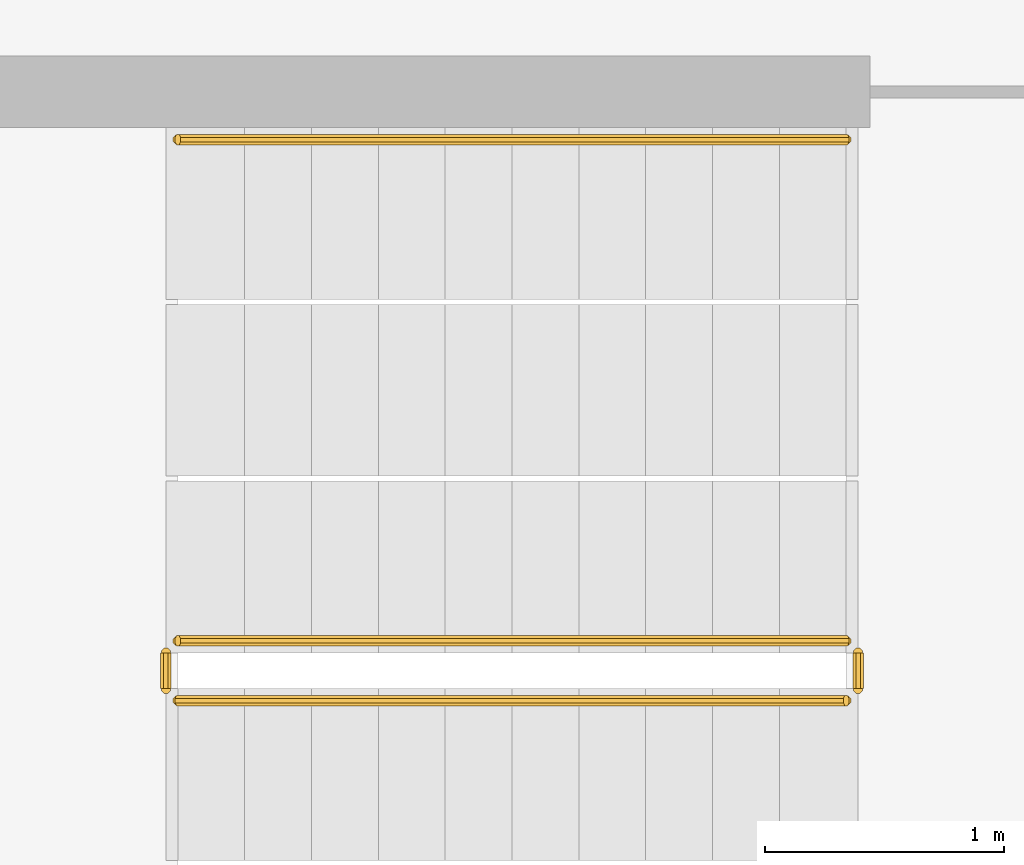
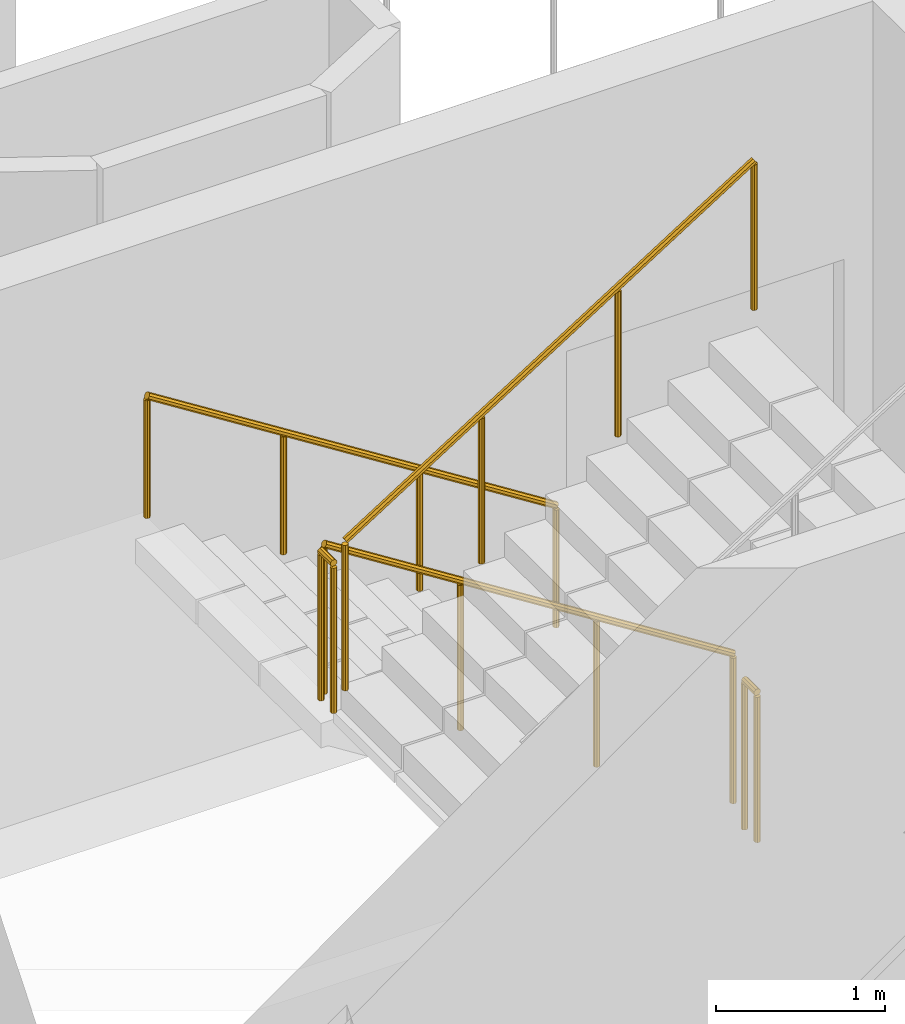
# One storey, part 20 of 26: 5 railings.
"""IFC4 building model written with IfcOpenShell, lengths in metres."""

import ifcopenshell
import ifcopenshell.guid

model = None  # the IFC model being written
_history = None  # IfcOwnerHistory: only IFC2X3 demands one
_inside = {}  # id of a spatial element -> (the spatial element, [elements in it])
_under = {}  # id of a project, library or spatial element -> (it, [spatial elements below it])
_declared = {}  # id of a project -> (the project, [libraries it declares])
_typed = {}  # id of a type object -> (the type object, [elements of that type])
_made_of = {}  # id of a material, layer set ... -> (it, [elements and type objects made of it])


def new_model(schema):
    """Start an empty IFC model of exactly this schema.

    Asked for "IFC4X3", IfcOpenShell would pick the latest addendum, in which some entities
    have other attributes; the version numbers below select the first issue.
    IFC2X3 requires an IfcOwnerHistory on every rooted entity: one is made here for all.
    """
    global model, _history
    if schema == "IFC4X3":
        model = ifcopenshell.file(schema_version=(4, 3, 0, 0))
    else:
        model = ifcopenshell.file(schema=schema)
    _inside.clear()
    _under.clear()
    _declared.clear()
    _typed.clear()
    _made_of.clear()
    _history = None
    if model.schema == "IFC2X3":
        org = make("IfcOrganization", Name="unknown")
        user = make(
            "IfcPersonAndOrganization",
            ThePerson=make("IfcPerson", FamilyName="unknown"),
            TheOrganization=org,
        )
        app = make(
            "IfcApplication",
            ApplicationDeveloper=org,
            Version="unknown",
            ApplicationFullName="unknown",
            ApplicationIdentifier="unknown",
        )
        _history = make(
            "IfcOwnerHistory",
            OwningUser=user,
            OwningApplication=app,
            ChangeAction="ADDED",
            CreationDate=0,
        )
    return model


def make(cls, **values):
    """One entity of the class cls with the attributes given. An attribute that is None is left unset."""
    return model.create_entity(
        cls, **{name: value for name, value in values.items() if value is not None}
    )


def rooted(cls, **values):
    """An entity with a GlobalId (a new one), such as an element, a storey or a relation."""
    return make(cls, GlobalId=ifcopenshell.guid.new(), OwnerHistory=_history, **values)


def si_unit(unit_type, name, prefix=None):
    """IfcSIUnit, for example si_unit("LENGTHUNIT", "METRE", prefix="MILLI")."""
    return make("IfcSIUnit", UnitType=unit_type, Prefix=prefix, Name=name)


def assignment(units):
    """IfcUnitAssignment: the units of a project."""
    return None if units is None else make("IfcUnitAssignment", Units=units)


def point(xyz):
    """IfcCartesianPoint."""
    return None if xyz is None else make("IfcCartesianPoint", Coordinates=xyz)


def direction(xyz):
    """IfcDirection."""
    return None if xyz is None else make("IfcDirection", DirectionRatios=xyz)


def frame(location, z_axis=None, x_axis=None):
    """IfcAxis2Placement3D, a coordinate frame: its origin and axes. An axis left out is left unset."""
    return make(
        "IfcAxis2Placement3D",
        Location=point(location),
        Axis=direction(z_axis),
        RefDirection=direction(x_axis),
    )


def origin():
    """The frame at (0, 0, 0) with its axes left unset."""
    return frame((0.0, 0.0, 0.0))


def place(relative_to, where):
    """IfcLocalPlacement: puts the frame where relative to a parent placement (None: the world)."""
    return make(
        "IfcLocalPlacement", PlacementRelTo=relative_to, RelativePlacement=where
    )


def context(
    kind, dimensions, precision=None, world=None, true_north=None, identifier=None
):
    """IfcGeometricRepresentationContext, for example the 3D "Model" context."""
    return make(
        "IfcGeometricRepresentationContext",
        ContextIdentifier=identifier,
        ContextType=kind,
        CoordinateSpaceDimension=dimensions,
        Precision=precision,
        WorldCoordinateSystem=world,
        TrueNorth=true_north,
    )


def subcontext(parent, identifier, kind, view, scale=None):
    """IfcGeometricRepresentationSubContext, for example "Body" below "Model"."""
    return make(
        "IfcGeometricRepresentationSubContext",
        ContextIdentifier=identifier,
        ContextType=kind,
        ParentContext=parent,
        TargetScale=scale,
        TargetView=view,
    )


def project(units=None, contexts=None):
    """IfcProject with its units and contexts."""
    return rooted(
        "IfcProject",
        Name="project",
        RepresentationContexts=contexts,
        UnitsInContext=assignment(units),
    )


def spatial(cls, under=None, at=None, **own):
    """A site, building, storey or space (cls), placed at a placement, below another one or the project."""
    s = rooted(cls, ObjectPlacement=at, **own)
    if under is not None:
        _under.setdefault(under.id(), (under, []))[1].append(s)
    return s


def polyline(points):
    """IfcPolyline through the points."""
    return make("IfcPolyline", Points=[point(p) for p in points])


def outline(outer, holes=None, kind="AREA"):
    """IfcArbitraryClosedProfileDef: a profile drawn as a closed curve; with holes, ...WithVoids."""
    if holes is None:
        return make("IfcArbitraryClosedProfileDef", ProfileType=kind, OuterCurve=outer)
    return make(
        "IfcArbitraryProfileDefWithVoids",
        ProfileType=kind,
        OuterCurve=outer,
        InnerCurves=holes,
    )


def extrude(swept, where, along, depth):
    """IfcExtrudedAreaSolid: the profile swept, set in the frame where, extruded along a direction by depth."""
    return make(
        "IfcExtrudedAreaSolid",
        SweptArea=swept,
        Position=where,
        ExtrudedDirection=direction(along),
        Depth=depth,
    )


def shape(context_of_items, identifier, shape_type, items):
    """IfcShapeRepresentation: the items that make up one representation, for example the "Body"."""
    return make(
        "IfcShapeRepresentation",
        ContextOfItems=context_of_items,
        RepresentationIdentifier=identifier,
        RepresentationType=shape_type,
        Items=items,
    )


def material(Name=None, Category=None):
    """IfcMaterial."""
    return make("IfcMaterial", Name=Name, Category=Category)


def made_of(thing, what):
    """Note that an element or type object is made of a material, layer set ...; save() writes the relation."""
    if what is not None:
        _made_of.setdefault(what.id(), (what, []))[1].append(thing)
    return thing


def type_object(cls, material=None, **own):
    """A type object (cls), such as IfcWallType, which elements share."""
    return made_of(rooted(cls, **own), material)


def element(
    cls,
    number,
    at=None,
    inside=None,
    cuts=None,
    type_object=None,
    material=None,
    context=None,
    identifier="Body",
    shape_type=None,
    held_by="IfcProductDefinitionShape",
    body=None,
    shapes=None,
    **own,
):
    """One element of the class cls, such as IfcWall. Its Tag is "e" and its number.

    at: its placement. inside: the storey or other place that contains it. cuts: it is an
    opening in that element (IfcRelVoidsElement). A single representation is given by context,
    identifier, shape_type and body (its items); several are given by shapes. held_by: the class
    of the entity that holds the representations. save() writes the other relations.
    """
    e = rooted(cls, Tag="e%d" % number, ObjectPlacement=at, **own)
    if body is not None:
        shapes = [shape(context, identifier, shape_type, body)]
    if shapes is not None:
        e.Representation = make(held_by, Representations=shapes)
    if inside is not None:
        _inside.setdefault(inside.id(), (inside, []))[1].append(e)
    if cuts is not None:
        rooted(
            "IfcRelVoidsElement", RelatingBuildingElement=cuts, RelatedOpeningElement=e
        )
    if type_object is not None:
        _typed.setdefault(type_object.id(), (type_object, []))[1].append(e)
    return made_of(e, material)


def aggregate(whole, parts):
    """IfcRelAggregates: a whole, such as a stair, and the parts it consists of."""
    return rooted("IfcRelAggregates", RelatingObject=whole, RelatedObjects=parts)


def save(model, path):
    """Write the relations noted so far, then the file.

    IfcRelAggregates (storeys below a building ...), IfcRelContainedInSpatialStructure (elements
    in a storey), IfcRelDefinesByType, IfcRelAssociatesMaterial and IfcRelDeclares: one each for
    every whole, place, type object, material and project.
    """
    for whole, parts in _under.values():
        aggregate(whole, parts)
    for where, things in _inside.values():
        rooted(
            "IfcRelContainedInSpatialStructure",
            RelatedElements=things,
            RelatingStructure=where,
        )
    for kind, things in _typed.values():
        rooted("IfcRelDefinesByType", RelatedObjects=things, RelatingType=kind)
    for what, things in _made_of.values():
        rooted("IfcRelAssociatesMaterial", RelatedObjects=things, RelatingMaterial=what)
    for by, libraries in _declared.values():
        rooted("IfcRelDeclares", RelatingContext=by, RelatedDefinitions=libraries)
    model.write(path)


model = new_model("IFC4")

# Units and contexts
model_context = context("Model", 3, precision=1e-05, world=origin(), true_north=direction((0.0, 1.0)))
body_context = subcontext(model_context, "Body", "Model", "MODEL_VIEW")
ifc_project = project(units=[si_unit("LENGTHUNIT", "METRE"), si_unit("AREAUNIT", "SQUARE_METRE"), si_unit("VOLUMEUNIT", "CUBIC_METRE"), si_unit("PLANEANGLEUNIT", "RADIAN"), si_unit("MASSUNIT", "GRAM", prefix="KILO")], contexts=[model_context])

# Site, building, storey
site_placement = place(None, origin())
site = spatial("IfcSite", under=ifc_project, at=site_placement, CompositionType="ELEMENT")
building_placement = place(site_placement, origin())
building = spatial("IfcBuilding", under=site, at=building_placement, Name="Cormorant Relay Tower", CompositionType="ELEMENT")
storey_placement = place(building_placement, frame((0.0, 0.0, 312.60009765625)))
storey = spatial("IfcBuildingStorey", under=building, at=storey_placement, Name="L71", CompositionType="ELEMENT", Elevation=312.60009765625)

# Railings
ifc_material_1 = material(Name="Steel ASTM A572 Grade 50 (Fy 345 MPa)", Category="steel")
railing_type_1 = type_object("IfcRailingType", Name="Stair guard 1100", PredefinedType="GUARDRAIL", material=ifc_material_1)
railing_1_placement = place(storey_placement, frame((1.60009765625, -18.27490234375, 0.17724609375)))
element("IfcRailing", 1, at=railing_1_placement, inside=storey, type_object=railing_type_1, Name="L71 RK1 stair guard 1", PredefinedType="GUARDRAIL", context=body_context, shape_type="SweptSolid", body=[
    extrude(outline(polyline([(0.022216796875, 0.00927734375), (0.00927734375, 0.022216796875), (-0.00927734375, 0.022216796875), (-0.022216796875, 0.00927734375), (-0.022216796875, -0.00927734375), (-0.00927734375, -0.022216796875), (0.00927734375, -0.022216796875), (0.022216796875, -0.00927734375), (0.022216796875, 0.00927734375)])), frame((0.0, 0.0, 1.076171875), z_axis=(-0.844908973607, 0.0, 0.534910110503), x_axis=(0.0, -1.0, 0.0)), (0.0, 0.0, 1.0), 3.31396484375),
    extrude(outline(polyline([(0.019287109375, 0.008056640625), (0.008056640625, 0.019287109375), (-0.008056640625, 0.019287109375), (-0.019287109375, 0.008056640625), (-0.019287109375, -0.008056640625), (-0.008056640625, -0.019287109375), (0.008056640625, -0.019287109375), (0.019287109375, -0.008056640625), (0.019287109375, 0.008056640625)])), origin(), (0.0, 0.0, 1.0), 1.052001953125),
    extrude(outline(polyline([(0.019287109375, 0.008056640625), (0.008056640625, 0.019287109375), (-0.008056640625, 0.019287109375), (-0.019287109375, 0.008056640625), (-0.019287109375, -0.008056640625), (-0.008056640625, -0.019287109375), (0.008056640625, -0.019287109375), (0.019287109375, -0.008056640625), (0.019287109375, 0.008056640625)])), frame((-0.933349609375, 0.0, 0.5908203125)), (0.0, 0.0, 1.0), 1.052001953125),
    extrude(outline(polyline([(0.019287109375, 0.008056640625), (0.008056640625, 0.019287109375), (-0.008056640625, 0.019287109375), (-0.019287109375, 0.008056640625), (-0.019287109375, -0.008056640625), (-0.008056640625, -0.019287109375), (0.008056640625, -0.019287109375), (0.019287109375, -0.008056640625), (0.019287109375, 0.008056640625)])), frame((-1.86669921875, 0.0, 1.181884765625)), (0.0, 0.0, 1.0), 1.052001953125),
    extrude(outline(polyline([(0.019287109375, 0.008056640625), (0.008056640625, 0.019287109375), (-0.008056640625, 0.019287109375), (-0.019287109375, 0.008056640625), (-0.019287109375, -0.008056640625), (-0.008056640625, -0.019287109375), (0.008056640625, -0.019287109375), (0.019287109375, -0.008056640625), (0.019287109375, 0.008056640625)])), frame((-2.800048828125, 0.0, 1.772705078125)), (0.0, 0.0, 1.0), 1.052001953125),
])
railing_2_placement = place(storey_placement, frame((-1.25, -18.324951171875, 1.949951171875)))
element("IfcRailing", 2, at=railing_2_placement, inside=storey, type_object=railing_type_1, Name="L71 RK1 stair guard 2", PredefinedType="GUARDRAIL", context=body_context, shape_type="SweptSolid", body=[
    extrude(outline(polyline([(0.022216796875, 0.00927734375), (0.00927734375, 0.022216796875), (-0.00927734375, 0.022216796875), (-0.022216796875, 0.00927734375), (-0.022216796875, -0.00927734375), (-0.00927734375, -0.022216796875), (0.00927734375, -0.022216796875), (0.022216796875, -0.00927734375), (0.022216796875, 0.00927734375)])), frame((0.0, 0.0, 1.076171875), z_axis=(0.0, -1.0, 0.0), x_axis=(1.0, 0.0, 0.0)), (0.0, 0.0, 1.0), 0.150146484375),
    extrude(outline(polyline([(0.019287109375, 0.008056640625), (0.008056640625, 0.019287109375), (-0.008056640625, 0.019287109375), (-0.019287109375, 0.008056640625), (-0.019287109375, -0.008056640625), (-0.008056640625, -0.019287109375), (0.008056640625, -0.019287109375), (0.019287109375, -0.008056640625), (0.019287109375, 0.008056640625)])), origin(), (0.0, 0.0, 1.0), 1.052001953125),
    extrude(outline(polyline([(0.019287109375, 0.008056640625), (0.008056640625, 0.019287109375), (-0.008056640625, 0.019287109375), (-0.019287109375, 0.008056640625), (-0.019287109375, -0.008056640625), (-0.008056640625, -0.019287109375), (0.008056640625, -0.019287109375), (0.019287109375, -0.008056640625), (0.019287109375, 0.008056640625)])), frame((0.0, -0.150146484375, 0.0)), (0.0, 0.0, 1.0), 1.052001953125),
])
railing_3_placement = place(storey_placement, frame((-1.199951171875, -18.52490234375, 2.127197265625)))
element("IfcRailing", 3, at=railing_3_placement, inside=storey, type_object=railing_type_1, Name="L71 RK1 stair guard 3", PredefinedType="GUARDRAIL", context=body_context, shape_type="SweptSolid", body=[
    extrude(outline(polyline([(0.022216796875, 0.00927734375), (0.00927734375, 0.022216796875), (-0.00927734375, 0.022216796875), (-0.022216796875, 0.00927734375), (-0.022216796875, -0.00927734375), (-0.00927734375, -0.022216796875), (0.00927734375, -0.022216796875), (0.022216796875, -0.00927734375), (0.022216796875, 0.00927734375)])), frame((0.0, 0.0, 1.076171875), z_axis=(0.844908973607, 0.0, 0.534910110503), x_axis=(0.0, 1.0, 0.0)), (0.0, 0.0, 1.0), 3.31396484375),
    extrude(outline(polyline([(0.019287109375, 0.008056640625), (0.008056640625, 0.019287109375), (-0.008056640625, 0.019287109375), (-0.019287109375, 0.008056640625), (-0.019287109375, -0.008056640625), (-0.008056640625, -0.019287109375), (0.008056640625, -0.019287109375), (0.019287109375, -0.008056640625), (0.019287109375, 0.008056640625)])), origin(), (0.0, 0.0, 1.0), 1.052001953125),
    extrude(outline(polyline([(0.019287109375, 0.008056640625), (0.008056640625, 0.019287109375), (-0.008056640625, 0.019287109375), (-0.019287109375, 0.008056640625), (-0.019287109375, -0.008056640625), (-0.008056640625, -0.019287109375), (0.008056640625, -0.019287109375), (0.019287109375, -0.008056640625), (0.019287109375, 0.008056640625)])), frame((0.933349609375, 0.0, 0.5908203125)), (0.0, 0.0, 1.0), 1.052001953125),
    extrude(outline(polyline([(0.019287109375, 0.008056640625), (0.008056640625, 0.019287109375), (-0.008056640625, 0.019287109375), (-0.019287109375, 0.008056640625), (-0.019287109375, -0.008056640625), (-0.008056640625, -0.019287109375), (0.008056640625, -0.019287109375), (0.019287109375, -0.008056640625), (0.019287109375, 0.008056640625)])), frame((1.86669921875, 0.0, 1.181884765625)), (0.0, 0.0, 1.0), 1.052001953125),
    extrude(outline(polyline([(0.019287109375, 0.008056640625), (0.008056640625, 0.019287109375), (-0.008056640625, 0.019287109375), (-0.019287109375, 0.008056640625), (-0.019287109375, -0.008056640625), (-0.008056640625, -0.019287109375), (0.008056640625, -0.019287109375), (0.019287109375, -0.008056640625), (0.019287109375, 0.008056640625)])), frame((2.800048828125, 0.0, 1.772705078125)), (0.0, 0.0, 1.0), 1.052001953125),
])
railing_4_placement = place(storey_placement, frame((1.64990234375, -18.324951171875, 0.0)))
element("IfcRailing", 4, at=railing_4_placement, inside=storey, type_object=railing_type_1, Name="L71 RK1 stair guard 4", PredefinedType="GUARDRAIL", context=body_context, shape_type="SweptSolid", body=[
    extrude(outline(polyline([(0.022216796875, 0.00927734375), (0.00927734375, 0.022216796875), (-0.00927734375, 0.022216796875), (-0.022216796875, 0.00927734375), (-0.022216796875, -0.00927734375), (-0.00927734375, -0.022216796875), (0.00927734375, -0.022216796875), (0.022216796875, -0.00927734375), (0.022216796875, 0.00927734375)])), frame((0.0, 0.0, 1.076171875), z_axis=(0.0, -1.0, 0.0), x_axis=(1.0, 0.0, 0.0)), (0.0, 0.0, 1.0), 0.150146484375),
    extrude(outline(polyline([(0.019287109375, 0.008056640625), (0.008056640625, 0.019287109375), (-0.008056640625, 0.019287109375), (-0.019287109375, 0.008056640625), (-0.019287109375, -0.008056640625), (-0.008056640625, -0.019287109375), (0.008056640625, -0.019287109375), (0.019287109375, -0.008056640625), (0.019287109375, 0.008056640625)])), origin(), (0.0, 0.0, 1.0), 1.052001953125),
    extrude(outline(polyline([(0.019287109375, 0.008056640625), (0.008056640625, 0.019287109375), (-0.008056640625, 0.019287109375), (-0.019287109375, 0.008056640625), (-0.019287109375, -0.008056640625), (-0.008056640625, -0.019287109375), (0.008056640625, -0.019287109375), (0.019287109375, -0.008056640625), (0.019287109375, 0.008056640625)])), frame((0.0, -0.150146484375, 0.0)), (0.0, 0.0, 1.0), 1.052001953125),
])
ifc_material_2 = material(Name="Steel ASTM A572 Grade 50 (Fy 345 MPa)", Category="steel")
railing_type_2 = type_object("IfcRailingType", Name="Stair handrail 900", PredefinedType="HANDRAIL", material=ifc_material_2)
railing_5_placement = place(storey_placement, frame((1.60009765625, -16.175048828125, 0.17724609375)))
element("IfcRailing", 5, at=railing_5_placement, inside=storey, type_object=railing_type_2, Name="L71 RK1 stair handrail 1", PredefinedType="HANDRAIL", context=body_context, shape_type="SweptSolid", body=[
    extrude(outline(polyline([(0.022216796875, 0.00927734375), (0.00927734375, 0.022216796875), (-0.00927734375, 0.022216796875), (-0.022216796875, 0.00927734375), (-0.022216796875, -0.00927734375), (-0.00927734375, -0.022216796875), (0.00927734375, -0.022216796875), (0.022216796875, -0.00927734375), (0.022216796875, 0.00927734375)])), frame((0.0, 0.0, 0.8759765625), z_axis=(-0.844908973607, 0.0, 0.534910110503), x_axis=(0.0, -1.0, 0.0)), (0.0, 0.0, 1.0), 3.31396484375),
    extrude(outline(polyline([(0.019287109375, 0.008056640625), (0.008056640625, 0.019287109375), (-0.008056640625, 0.019287109375), (-0.019287109375, 0.008056640625), (-0.019287109375, -0.008056640625), (-0.008056640625, -0.019287109375), (0.008056640625, -0.019287109375), (0.019287109375, -0.008056640625), (0.019287109375, 0.008056640625)])), origin(), (0.0, 0.0, 1.0), 0.851806640625),
    extrude(outline(polyline([(0.019287109375, 0.008056640625), (0.008056640625, 0.019287109375), (-0.008056640625, 0.019287109375), (-0.019287109375, 0.008056640625), (-0.019287109375, -0.008056640625), (-0.008056640625, -0.019287109375), (0.008056640625, -0.019287109375), (0.019287109375, -0.008056640625), (0.019287109375, 0.008056640625)])), frame((-0.933349609375, 0.0, 0.5908203125)), (0.0, 0.0, 1.0), 0.851806640625),
    extrude(outline(polyline([(0.019287109375, 0.008056640625), (0.008056640625, 0.019287109375), (-0.008056640625, 0.019287109375), (-0.019287109375, 0.008056640625), (-0.019287109375, -0.008056640625), (-0.008056640625, -0.019287109375), (0.008056640625, -0.019287109375), (0.019287109375, -0.008056640625), (0.019287109375, 0.008056640625)])), frame((-1.86669921875, 0.0, 1.181884765625)), (0.0, 0.0, 1.0), 0.851806640625),
    extrude(outline(polyline([(0.019287109375, 0.008056640625), (0.008056640625, 0.019287109375), (-0.008056640625, 0.019287109375), (-0.019287109375, 0.008056640625), (-0.019287109375, -0.008056640625), (-0.008056640625, -0.019287109375), (0.008056640625, -0.019287109375), (0.019287109375, -0.008056640625), (0.019287109375, 0.008056640625)])), frame((-2.800048828125, 0.0, 1.772705078125)), (0.0, 0.0, 1.0), 0.851806640625),
])

save(model, "model.ifc")
